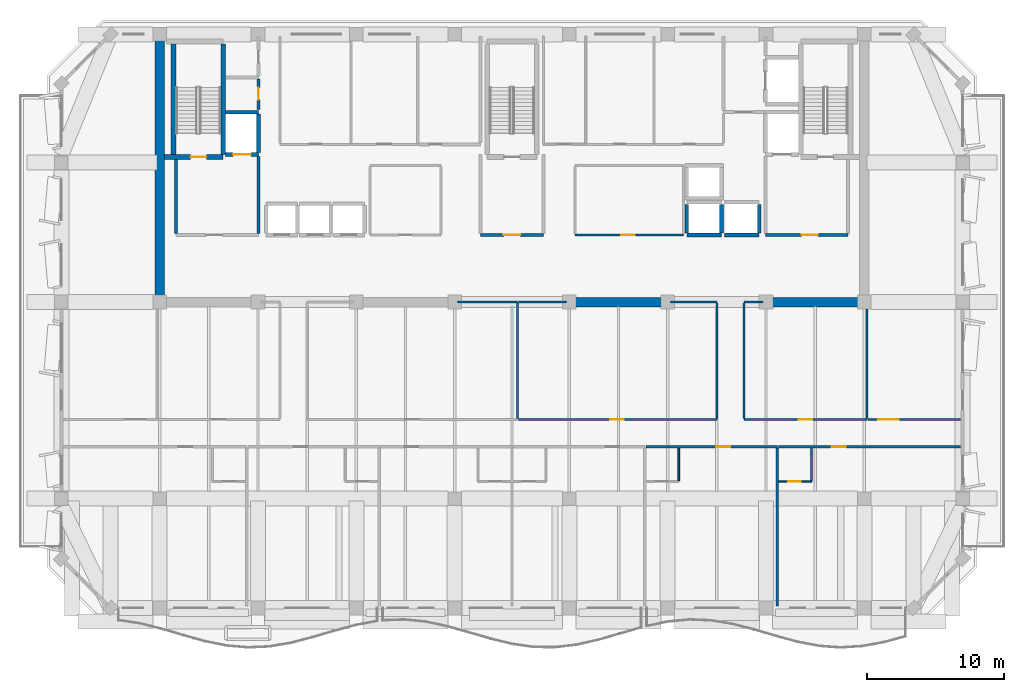
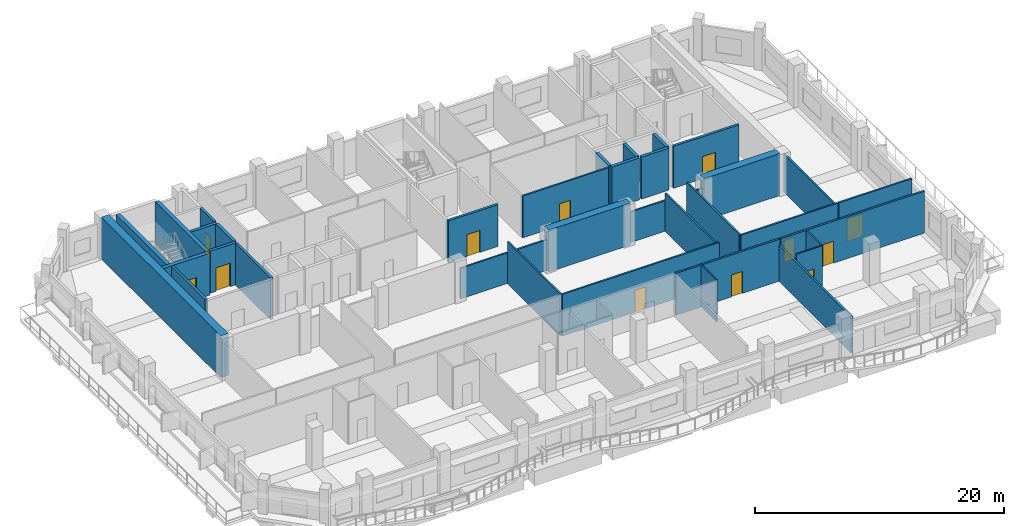
# One storey, part 5 of 12: 37 walls, 12 doors, 12 openings.
"""IFC4 building model written with IfcOpenShell, lengths in metres."""

from ifc_helpers import new_model, si_unit, direction, frame, frame_2d, origin, place, context, subcontext, project, spatial, rectangle, extrude, material, layer, layer_set, type_object, element, fill, save


model = new_model("IFC4")

# Units and contexts
model_context = context("Model", 3, precision=1e-05, world=origin(), true_north=direction((0.0, 1.0)))
body_context = subcontext(model_context, "Body", "Model", "MODEL_VIEW")
ifc_project = project(units=[si_unit("LENGTHUNIT", "METRE"), si_unit("AREAUNIT", "SQUARE_METRE"), si_unit("VOLUMEUNIT", "CUBIC_METRE"), si_unit("PLANEANGLEUNIT", "RADIAN"), si_unit("MASSUNIT", "GRAM", prefix="KILO")], contexts=[model_context])

# Site, building, storey
site_placement = place(None, origin())
site = spatial("IfcSite", under=ifc_project, at=site_placement, CompositionType="ELEMENT")
building_placement = place(site_placement, origin())
building = spatial("IfcBuilding", under=site, at=building_placement, Name="Kaelvorn Grand Hotel", CompositionType="ELEMENT")
storey_placement = place(building_placement, frame((0.0, 0.0, 285.89990234375)))
storey = spatial("IfcBuildingStorey", under=building, at=storey_placement, Name="L70", CompositionType="ELEMENT", Elevation=285.89990234375)

# Walls
ifc_material_1 = material(Name="Concrete C50/60", Category="concrete")
ifc_layer_1 = layer(ifc_material_1, 0.699951171875)
ifc_layer_set_1 = layer_set([ifc_layer_1], Name="Concrete C50/60")
wall_type_1 = type_object("IfcWallType", Name="WL-CORE-700-C50", PredefinedType="SHEAR", material=ifc_layer_set_1)
wall_1_placement = place(storey_placement, frame((16.199951171875, 29.39990234375, 0.0), z_axis=(0.0, 0.0, 1.0), x_axis=(0.0, 1.0, 0.0)))
element("IfcWall", 1, at=wall_1_placement, inside=storey, type_object=wall_type_1, Name="L70 Rear-Core West Shear Wall", PredefinedType="SHEAR", context=body_context, shape_type="SweptSolid", body=[
    extrude(rectangle(XDim=19.2001953125, YDim=0.699951171875, at=frame_2d((9.60009765625, 0.0))), origin(), (0.0, 0.0, 1.0), 4.10009765625),
])
wall_2_placement = place(storey_placement, frame((46.0, 29.39990234375, 0.0), z_axis=(0.0, 0.0, 1.0), x_axis=(1.0, 0.0, 0.0)))
element("IfcWall", 2, at=wall_2_placement, inside=storey, type_object=wall_type_1, Name="L70 Rear-Core Coupled Shear Pier S3", PredefinedType="SHEAR", context=body_context, shape_type="SweptSolid", body=[
    extrude(rectangle(XDim=7.60009765625, YDim=0.699951171875, at=frame_2d((3.800048828125, 0.0))), origin(), (0.0, 0.0, 1.0), 4.10009765625),
])
wall_3_placement = place(storey_placement, frame((60.39990234375, 29.39990234375, 0.0), z_axis=(0.0, 0.0, 1.0), x_axis=(1.0, 0.0, 0.0)))
element("IfcWall", 3, at=wall_3_placement, inside=storey, type_object=wall_type_1, Name="L70 Rear-Core Coupled Shear Pier S4", PredefinedType="SHEAR", context=body_context, shape_type="SweptSolid", body=[
    extrude(rectangle(XDim=7.045166015625, YDim=0.699951171875, at=frame_2d((3.5224609375, 0.0))), origin(), (0.0, 0.0, 1.0), 4.10009765625),
])
ifc_material_2 = material(Name="Moisture-Resistant Tile & Stud Board")
ifc_layer_2 = layer(ifc_material_2, 0.125)
ifc_layer_set_2 = layer_set([ifc_layer_2], Name="Moisture-Resistant Tile & Stud Board")
wall_type_2 = type_object("IfcWallType", Name="WL-PART-125-WET", PredefinedType="PARTITIONING", material=ifc_layer_set_2)
wall_4_placement = place(storey_placement, frame((54.216796875, 16.3173828125, 0.0), z_axis=(0.0, 0.0, 1.0), x_axis=(0.0, 1.0, 0.0)))
element("IfcWall", 4, at=wall_4_placement, inside=storey, type_object=wall_type_2, Name="L70 En-suite Bathroom L70-05 E Partition", PredefinedType="PARTITIONING", context=body_context, shape_type="SweptSolid", body=[
    extrude(rectangle(XDim=2.3876953125, YDim=0.125, at=frame_2d((1.19384765625, 0.0))), origin(), (0.0, 0.0, 1.0), 4.10009765625),
])

# Wall, opening, door
wall_5_placement = place(storey_placement, frame((61.5283203125, 16.25, 0.0), z_axis=(0.0, 0.0, 1.0), x_axis=(1.0, 0.0, 0.0)))
wall_5 = element("IfcWall", 5, at=wall_5_placement, inside=storey, type_object=wall_type_2, Name="L70 En-suite Bathroom L70-06 S Partition", PredefinedType="PARTITIONING", context=body_context, shape_type="SweptSolid", body=[
    extrude(rectangle(XDim=2.405029296875, YDim=0.125, at=frame_2d((1.20263671875, 0.0))), origin(), (0.0, 0.0, 1.0), 4.10009765625),
])
opening_1_placement = place(wall_5_placement, frame((0.705078125, 0.0, 0.0)))
opening_1 = element("IfcOpeningElement", 6, at=opening_1_placement, cuts=wall_5, Name="Opening DI4", PredefinedType="OPENING", context=body_context, shape_type="SweptSolid", body=[
    extrude(rectangle(XDim=0.89990234375, YDim=2.10009765625, at=frame_2d((0.449951171875, 1.050048828125))), frame((0.0, 0.072509765625, 0.0), z_axis=(0.0, -1.0, 0.0), x_axis=(1.0, 0.0, 0.0)), (0.0, 0.0, 1.0), 0.14501953125),
])
ifc_material_3 = material(Name="Timber Veneer Leaf", Category="wood")
door_type_1 = type_object("IfcDoorType", Name="DR-INT-BATH-900x2100", OperationType="NOTDEFINED", PredefinedType="DOOR", material=ifc_material_3)
door_1_placement = place(opening_1_placement, origin())
door_1 = element("IfcDoor", 7, at=door_1_placement, inside=storey, type_object=door_type_1, Name="L70 En-suite Bathroom L70-06 Door", OperationType="SINGLE_SWING_RIGHT", OverallHeight=2.10009765625, OverallWidth=0.89990234375, PredefinedType="DOOR", context=body_context, shape_type="SweptSolid", body=[
    extrude(rectangle(XDim=0.89990234375, YDim=2.10009765625, at=frame_2d((0.449951171875, 1.050048828125))), frame((0.0, 0.02490234375, 0.0), z_axis=(0.0, -1.0, 0.0), x_axis=(1.0, 0.0, 0.0)), (0.0, 0.0, 1.0), 0.050048828125),
])
fill(opening_1, door_1)

# Wall
wall_6_placement = place(storey_placement, frame((63.933349609375, 16.3173828125, 0.0), z_axis=(0.0, 0.0, 1.0), x_axis=(0.0, 1.0, 0.0)))
element("IfcWall", 8, at=wall_6_placement, inside=storey, type_object=wall_type_2, Name="L70 En-suite Bathroom L70-06 E Partition", PredefinedType="PARTITIONING", context=body_context, shape_type="SweptSolid", body=[
    extrude(rectangle(XDim=2.3876953125, YDim=0.125, at=frame_2d((1.19384765625, 0.0))), origin(), (0.0, 0.0, 1.0), 4.10009765625),
])

# Wall, opening, door
ifc_material_4 = material(Name="Acoustic Gypsum & Stud Partition")
ifc_layer_3 = layer(ifc_material_4, 0.14990234375)
ifc_layer_set_3 = layer_set([ifc_layer_3], Name="Acoustic Gypsum & Stud Partition")
wall_type_3 = type_object("IfcWallType", Name="WL-PART-150-EI60", PredefinedType="PARTITIONING", material=ifc_layer_set_3)
wall_7_placement = place(storey_placement, frame((46.60009765625, 34.300048828125, 0.0), z_axis=(0.0, 0.0, 1.0), x_axis=(1.0, 0.0, 0.0)))
wall_7 = element("IfcWall", 9, at=wall_7_placement, inside=storey, type_object=wall_type_3, Name="L70 Sky Concierge & Butler Pantry Lounge S Partition", PredefinedType="PARTITIONING", context=body_context, shape_type="SweptSolid", body=[
    extrude(rectangle(XDim=7.949951171875, YDim=0.14990234375, at=frame_2d((3.97509765625, 0.0))), origin(), (0.0, 0.0, 1.0), 4.10009765625),
])
opening_2_placement = place(wall_7_placement, frame((3.39990234375, 0.0, 0.0)))
opening_2 = element("IfcOpeningElement", 10, at=opening_2_placement, cuts=wall_7, Name="Opening DI3", PredefinedType="OPENING", context=body_context, shape_type="SweptSolid", body=[
    extrude(rectangle(XDim=1.0, YDim=2.14990234375, at=frame_2d((0.5, 1.074951171875))), frame((0.0, 0.0849609375, 0.0), z_axis=(0.0, -1.0, 0.0), x_axis=(1.0, 0.0, 0.0)), (0.0, 0.0, 1.0), 0.169921875),
])
ifc_material_5 = material(Name="Timber Veneer Fire Leaf", Category="wood")
door_type_2 = type_object("IfcDoorType", Name="DR-INT-GUEST-1000x2150", OperationType="NOTDEFINED", PredefinedType="DOOR", material=ifc_material_5)
door_2_placement = place(opening_2_placement, origin())
door_2 = element("IfcDoor", 11, at=door_2_placement, inside=storey, type_object=door_type_2, Name="L70 Sky Concierge & Butler Pantry Lounge Door", OperationType="SINGLE_SWING_RIGHT", OverallHeight=2.14990234375, OverallWidth=1.0, PredefinedType="DOOR", context=body_context, shape_type="SweptSolid", body=[
    extrude(rectangle(XDim=1.0, YDim=2.14990234375, at=frame_2d((0.5, 1.074951171875))), frame((0.0, 0.02490234375, 0.0), z_axis=(0.0, -1.0, 0.0), x_axis=(1.0, 0.0, 0.0)), (0.0, 0.0, 1.0), 0.050048828125),
])
fill(opening_2, door_2)

# Walls
wall_8_placement = place(storey_placement, frame((38.010009765625, 29.39990234375, 0.0), z_axis=(0.0, 0.0, 1.0), x_axis=(1.0, 0.0, 0.0)))
element("IfcWall", 12, at=wall_8_placement, inside=storey, type_object=wall_type_3, Name="L70 Sommelier Wine Bar N Partition (2)", PredefinedType="PARTITIONING", context=body_context, shape_type="SweptSolid", body=[
    extrude(rectangle(XDim=4.389892578125, YDim=0.14990234375, at=frame_2d((2.19482421875, 0.0))), origin(), (0.0, 0.0, 1.0), 3.0),
])
wall_9_placement = place(storey_placement, frame((42.39990234375, 20.8798828125, 0.0), z_axis=(0.0, 0.0, 1.0), x_axis=(0.0, 1.0, 0.0)))
element("IfcWall", 13, at=wall_9_placement, inside=storey, type_object=wall_type_3, Name="L70 Sommelier Wine Bar E Partition", PredefinedType="PARTITIONING", context=body_context, shape_type="SweptSolid", body=[
    extrude(rectangle(XDim=8.440185546875, YDim=0.14990234375, at=frame_2d((4.22021484375, 0.0))), origin(), (0.0, 0.0, 1.0), 4.10009765625),
])

# Wall, opening, door
wall_10_placement = place(storey_placement, frame((42.47998046875, 20.800048828125, 0.0), z_axis=(0.0, 0.0, 1.0), x_axis=(1.0, 0.0, 0.0)))
wall_10 = element("IfcWall", 14, at=wall_10_placement, inside=storey, type_object=wall_type_3, Name="L70 Business Meeting Room S Partition", PredefinedType="PARTITIONING", context=body_context, shape_type="SweptSolid", body=[
    extrude(rectangle(XDim=14.52001953125, YDim=0.14990234375, at=frame_2d((7.260009765625, 0.0))), origin(), (0.0, 0.0, 1.0), 4.10009765625),
])
opening_3_placement = place(wall_10_placement, frame((6.719970703125, 0.0, 0.0)))
opening_3 = element("IfcOpeningElement", 15, at=opening_3_placement, cuts=wall_10, Name="Opening DI3", PredefinedType="OPENING", context=body_context, shape_type="SweptSolid", body=[
    extrude(rectangle(XDim=1.0, YDim=2.14990234375, at=frame_2d((0.5, 1.074951171875))), frame((0.0, 0.0849609375, 0.0), z_axis=(0.0, -1.0, 0.0), x_axis=(1.0, 0.0, 0.0)), (0.0, 0.0, 1.0), 0.169921875),
])
door_3_placement = place(opening_3_placement, origin())
door_3 = element("IfcDoor", 16, at=door_3_placement, inside=storey, type_object=door_type_2, Name="L70 Business Meeting Room Door", OperationType="SINGLE_SWING_LEFT", OverallHeight=2.14990234375, OverallWidth=1.0, PredefinedType="DOOR", context=body_context, shape_type="SweptSolid", body=[
    extrude(rectangle(XDim=1.0, YDim=2.14990234375, at=frame_2d((0.5, 1.074951171875))), frame((0.0, 0.02490234375, 0.0), z_axis=(0.0, -1.0, 0.0), x_axis=(1.0, 0.0, 0.0)), (0.0, 0.0, 1.0), 0.050048828125),
])
fill(opening_3, door_3)

# Walls
wall_11_placement = place(storey_placement, frame((42.47998046875, 29.39990234375, 0.0), z_axis=(0.0, 0.0, 1.0), x_axis=(1.0, 0.0, 0.0)))
element("IfcWall", 17, at=wall_11_placement, inside=storey, type_object=wall_type_3, Name="L70 Business Meeting Room N Partition (1)", PredefinedType="PARTITIONING", context=body_context, shape_type="SweptSolid", body=[
    extrude(rectangle(XDim=3.510009765625, YDim=0.14990234375, at=frame_2d((1.7548828125, 0.0))), origin(), (0.0, 0.0, 1.0), 3.0),
])
wall_12_placement = place(storey_placement, frame((53.610107421875, 29.39990234375, 0.0), z_axis=(0.0, 0.0, 1.0), x_axis=(1.0, 0.0, 0.0)))
element("IfcWall", 18, at=wall_12_placement, inside=storey, type_object=wall_type_3, Name="L70 Business Meeting Room N Partition (2)", PredefinedType="PARTITIONING", context=body_context, shape_type="SweptSolid", body=[
    extrude(rectangle(XDim=3.389892578125, YDim=0.14990234375, at=frame_2d((1.69482421875, 0.0))), origin(), (0.0, 0.0, 1.0), 3.0),
])
wall_13_placement = place(storey_placement, frame((57.0, 20.8798828125, 0.0), z_axis=(0.0, 0.0, 1.0), x_axis=(0.0, 1.0, 0.0)))
element("IfcWall", 19, at=wall_13_placement, inside=storey, type_object=wall_type_3, Name="L70 Business Meeting Room E Partition", PredefinedType="PARTITIONING", context=body_context, shape_type="SweptSolid", body=[
    extrude(rectangle(XDim=8.440185546875, YDim=0.14990234375, at=frame_2d((4.22021484375, 0.0))), origin(), (0.0, 0.0, 1.0), 3.739990234375),
])

# Wall, opening, door
wall_14_placement = place(storey_placement, frame((59.0, 20.800048828125, 0.0), z_axis=(0.0, 0.0, 1.0), x_axis=(1.0, 0.0, 0.0)))
wall_14 = element("IfcWall", 20, at=wall_14_placement, inside=storey, type_object=wall_type_3, Name="L70 Press Briefing Office S Partition", PredefinedType="PARTITIONING", context=body_context, shape_type="SweptSolid", body=[
    extrude(rectangle(XDim=9.0, YDim=0.14990234375, at=frame_2d((4.5, 0.0))), origin(), (0.0, 0.0, 1.0), 4.10009765625),
])
opening_4_placement = place(wall_14_placement, frame((4.0, 0.0, 0.0)))
opening_4 = element("IfcOpeningElement", 21, at=opening_4_placement, cuts=wall_14, Name="Opening DI3", PredefinedType="OPENING", context=body_context, shape_type="SweptSolid", body=[
    extrude(rectangle(XDim=1.0, YDim=2.14990234375, at=frame_2d((0.5, 1.074951171875))), frame((0.0, 0.0849609375, 0.0), z_axis=(0.0, -1.0, 0.0), x_axis=(1.0, 0.0, 0.0)), (0.0, 0.0, 1.0), 0.169921875),
])
door_4_placement = place(opening_4_placement, origin())
door_4 = element("IfcDoor", 22, at=door_4_placement, inside=storey, type_object=door_type_2, Name="L70 Press Briefing Office Door", OperationType="SINGLE_SWING_RIGHT", OverallHeight=2.14990234375, OverallWidth=1.0, PredefinedType="DOOR", context=body_context, shape_type="SweptSolid", body=[
    extrude(rectangle(XDim=1.0, YDim=2.14990234375, at=frame_2d((0.5, 1.074951171875))), frame((0.0, 0.02490234375, 0.0), z_axis=(0.0, -1.0, 0.0), x_axis=(1.0, 0.0, 0.0)), (0.0, 0.0, 1.0), 0.050048828125),
])
fill(opening_4, door_4)

# Walls
wall_15_placement = place(storey_placement, frame((59.0, 29.39990234375, 0.0), z_axis=(0.0, 0.0, 1.0), x_axis=(1.0, 0.0, 0.0)))
element("IfcWall", 23, at=wall_15_placement, inside=storey, type_object=wall_type_3, Name="L70 Press Briefing Office N Partition", PredefinedType="PARTITIONING", context=body_context, shape_type="SweptSolid", body=[
    extrude(rectangle(XDim=1.389892578125, YDim=0.14990234375, at=frame_2d((0.69482421875, 0.0))), origin(), (0.0, 0.0, 1.0), 3.0),
])
wall_16_placement = place(storey_placement, frame((59.0, 20.8798828125, 0.0), z_axis=(0.0, 0.0, 1.0), x_axis=(0.0, 1.0, 0.0)))
element("IfcWall", 24, at=wall_16_placement, inside=storey, type_object=wall_type_3, Name="L70 Press Briefing Office W Partition", PredefinedType="PARTITIONING", context=body_context, shape_type="SweptSolid", body=[
    extrude(rectangle(XDim=8.440185546875, YDim=0.14990234375, at=frame_2d((4.22021484375, 0.0))), origin(), (0.0, 0.0, 1.0), 4.10009765625),
])
wall_17_placement = place(storey_placement, frame((68.0, 20.8798828125, 0.0), z_axis=(0.0, 0.0, 1.0), x_axis=(0.0, 1.0, 0.0)))
element("IfcWall", 25, at=wall_17_placement, inside=storey, type_object=wall_type_3, Name="L70 Press Briefing Office E Partition", PredefinedType="PARTITIONING", context=body_context, shape_type="SweptSolid", body=[
    extrude(rectangle(XDim=8.510009765625, YDim=0.14990234375, at=frame_2d((4.2548828125, 0.0))), origin(), (0.0, 0.0, 1.0), 3.739990234375),
])

# Wall, opening, door
wall_18_placement = place(storey_placement, frame((68.080078125, 20.800048828125, 0.0), z_axis=(0.0, 0.0, 1.0), x_axis=(1.0, 0.0, 0.0)))
wall_18 = element("IfcWall", 26, at=wall_18_placement, inside=storey, type_object=wall_type_3, Name="L70 East Sky Private Cinema Lounge S Partition", PredefinedType="PARTITIONING", context=body_context, shape_type="SweptSolid", body=[
    extrude(rectangle(XDim=6.77001953125, YDim=0.14990234375, at=frame_2d((3.385009765625, 0.0))), origin(), (0.0, 0.0, 1.0), 4.10009765625),
])
opening_5_placement = place(wall_18_placement, frame((0.75, 0.0, 0.0)))
opening_5 = element("IfcOpeningElement", 27, at=opening_5_placement, cuts=wall_18, Name="Opening DI5", PredefinedType="OPENING", context=body_context, shape_type="SweptSolid", body=[
    extrude(rectangle(XDim=1.5, YDim=2.25, at=frame_2d((0.75, 1.125))), frame((0.0, 0.0849609375, 0.0), z_axis=(0.0, -1.0, 0.0), x_axis=(1.0, 0.0, 0.0)), (0.0, 0.0, 1.0), 0.169921875),
])
door_type_3 = type_object("IfcDoorType", Name="DR-INT-SALON-1500x2250", OperationType="DOUBLE_DOOR_SINGLE_SWING", PredefinedType="DOOR", material=ifc_material_5)
door_5_placement = place(opening_5_placement, origin())
door_5 = element("IfcDoor", 28, at=door_5_placement, inside=storey, type_object=door_type_3, Name="L70 East Sky Private Cinema Lounge Door", OperationType="DOUBLE_DOOR_SINGLE_SWING", OverallHeight=2.25, OverallWidth=1.5, PredefinedType="DOOR", context=body_context, shape_type="SweptSolid", body=[
    extrude(rectangle(XDim=1.5, YDim=2.25, at=frame_2d((0.75, 1.125))), frame((0.0, 0.02490234375, 0.0), z_axis=(0.0, -1.0, 0.0), x_axis=(1.0, 0.0, 0.0)), (0.0, 0.0, 1.0), 0.050048828125),
])
fill(opening_5, door_5)

ifc_layer_4 = layer(ifc_material_4, 0.179931640625)
ifc_layer_set_4 = layer_set([ifc_layer_4], Name="Acoustic Gypsum & Stud Partition")
wall_type_4 = type_object("IfcWallType", Name="WL-PART-180-EI60", PredefinedType="PARTITIONING", material=ifc_layer_set_4)
wall_19_placement = place(storey_placement, frame((51.811767578125, 18.800048828125, 0.0), z_axis=(0.0, 0.0, 1.0), x_axis=(1.0, 0.0, 0.0)))
wall_19 = element("IfcWall", 29, at=wall_19_placement, inside=storey, type_object=wall_type_4, Name="L70 Presidential Sky Suite L70-05 N Partition", PredefinedType="PARTITIONING", context=body_context, shape_type="SweptSolid", body=[
    extrude(rectangle(XDim=9.62158203125, YDim=0.179931640625, at=frame_2d((4.810791015625, 0.0))), origin(), (0.0, 0.0, 1.0), 4.10009765625),
])
opening_6_placement = place(wall_19_placement, frame((5.15673828125, 0.0, 0.0)))
opening_6 = element("IfcOpeningElement", 30, at=opening_6_placement, cuts=wall_19, Name="Opening DI3", PredefinedType="OPENING", context=body_context, shape_type="SweptSolid", body=[
    extrude(rectangle(XDim=1.0, YDim=2.14990234375, at=frame_2d((0.5, 1.074951171875))), frame((0.0, 0.10009765625, 0.0), z_axis=(0.0, -1.0, 0.0), x_axis=(1.0, 0.0, 0.0)), (0.0, 0.0, 1.0), 0.199951171875),
])
door_6_placement = place(opening_6_placement, origin())
door_6 = element("IfcDoor", 31, at=door_6_placement, inside=storey, type_object=door_type_2, Name="L70 Presidential Sky Suite L70-05 Door", OperationType="SINGLE_SWING_LEFT", OverallHeight=2.14990234375, OverallWidth=1.0, PredefinedType="DOOR", context=body_context, shape_type="SweptSolid", body=[
    extrude(rectangle(XDim=1.0, YDim=2.14990234375, at=frame_2d((0.5, 1.074951171875))), frame((0.0, 0.02490234375, 0.0), z_axis=(0.0, -1.0, 0.0), x_axis=(1.0, 0.0, 0.0)), (0.0, 0.0, 1.0), 0.050048828125),
])
fill(opening_6, door_6)

# Wall
wall_20_placement = place(storey_placement, frame((61.433349609375, 7.14990234375, 0.0), z_axis=(0.0, 0.0, 1.0), x_axis=(0.0, 1.0, 0.0)))
element("IfcWall", 32, at=wall_20_placement, inside=storey, type_object=wall_type_4, Name="L70 Presidential Sky Suite L70-05 E Partition", PredefinedType="PARTITIONING", context=body_context, shape_type="SweptSolid", body=[
    extrude(rectangle(XDim=11.55517578125, YDim=0.179931640625, at=frame_2d((5.777587890625, 0.0))), origin(), (0.0, 0.0, 1.0), 3.530029296875),
])

# Wall, opening, door
wall_21_placement = place(storey_placement, frame((61.5283203125, 18.800048828125, 0.0), z_axis=(0.0, 0.0, 1.0), x_axis=(1.0, 0.0, 0.0)))
wall_21 = element("IfcWall", 33, at=wall_21_placement, inside=storey, type_object=wall_type_4, Name="L70 Presidential Sky Suite L70-06 N Partition", PredefinedType="PARTITIONING", context=body_context, shape_type="SweptSolid", body=[
    extrude(rectangle(XDim=13.32177734375, YDim=0.179931640625, at=frame_2d((6.660888671875, 0.0))), origin(), (0.0, 0.0, 1.0), 4.10009765625),
])
opening_7_placement = place(wall_21_placement, frame((3.898193359375, 0.0, 0.0)))
opening_7 = element("IfcOpeningElement", 34, at=opening_7_placement, cuts=wall_21, Name="Opening DI3", PredefinedType="OPENING", context=body_context, shape_type="SweptSolid", body=[
    extrude(rectangle(XDim=1.0, YDim=2.14990234375, at=frame_2d((0.5, 1.074951171875))), frame((0.0, 0.10009765625, 0.0), z_axis=(0.0, -1.0, 0.0), x_axis=(1.0, 0.0, 0.0)), (0.0, 0.0, 1.0), 0.199951171875),
])
door_7_placement = place(opening_7_placement, origin())
door_7 = element("IfcDoor", 35, at=door_7_placement, inside=storey, type_object=door_type_2, Name="L70 Presidential Sky Suite L70-06 Door", OperationType="SINGLE_SWING_LEFT", OverallHeight=2.14990234375, OverallWidth=1.0, PredefinedType="DOOR", context=body_context, shape_type="SweptSolid", body=[
    extrude(rectangle(XDim=1.0, YDim=2.14990234375, at=frame_2d((0.5, 1.074951171875))), frame((0.0, 0.02490234375, 0.0), z_axis=(0.0, -1.0, 0.0), x_axis=(1.0, 0.0, 0.0)), (0.0, 0.0, 1.0), 0.050048828125),
])
fill(opening_7, door_7)

# Walls
ifc_material_6 = material(Name="Concrete C40/50", Category="concrete")
ifc_layer_5 = layer(ifc_material_6, 0.219970703125)
ifc_layer_set_5 = layer_set([ifc_layer_5], Name="Concrete C40/50")
wall_type_5 = type_object("IfcWallType", Name="WL-PART-220-EI120", PredefinedType="PARTITIONING", material=ifc_layer_set_5)
wall_22_placement = place(storey_placement, frame((17.39990234375, 34.4150390625, 0.0), z_axis=(0.0, 0.0, 1.0), x_axis=(0.0, 1.0, 0.0)))
element("IfcWall", 36, at=wall_22_placement, inside=storey, type_object=wall_type_5, Name="L70 Firefighting Lift Lobby 1 W Partition", PredefinedType="PARTITIONING", context=body_context, shape_type="SweptSolid", body=[
    extrude(rectangle(XDim=5.429931640625, YDim=0.219970703125, at=frame_2d((2.71484375, 0.0))), origin(), (0.0, 0.0, 1.0), 4.10009765625),
])
wall_23_placement = place(storey_placement, frame((23.449951171875, 34.4150390625, 0.0), z_axis=(0.0, 0.0, 1.0), x_axis=(0.0, 1.0, 0.0)))
element("IfcWall", 37, at=wall_23_placement, inside=storey, type_object=wall_type_5, Name="L70 Firefighting Lift Lobby 1 E Partition", PredefinedType="PARTITIONING", context=body_context, shape_type="SweptSolid", body=[
    extrude(rectangle(XDim=5.639892578125, YDim=0.219970703125, at=frame_2d((2.81982421875, 0.0))), origin(), (0.0, 0.0, 1.0), 4.10009765625),
])

# Wall, opening, door
wall_24_placement = place(storey_placement, frame((60.550048828125, 34.300048828125, 0.0), z_axis=(0.0, 0.0, 1.0), x_axis=(1.0, 0.0, 0.0)))
wall_24 = element("IfcWall", 38, at=wall_24_placement, inside=storey, type_object=wall_type_5, Name="L70 Firefighting Lift Lobby 2 S Partition", PredefinedType="PARTITIONING", context=body_context, shape_type="SweptSolid", body=[
    extrude(rectangle(XDim=6.050048828125, YDim=0.219970703125, at=frame_2d((3.02490234375, 0.0))), origin(), (0.0, 0.0, 1.0), 4.10009765625),
])
opening_8_placement = place(wall_24_placement, frame((2.64990234375, 0.0, 0.0)))
opening_8 = element("IfcOpeningElement", 39, at=opening_8_placement, cuts=wall_24, Name="Opening DI2", PredefinedType="OPENING", context=body_context, shape_type="SweptSolid", body=[
    extrude(rectangle(XDim=1.199951171875, YDim=2.14990234375, at=frame_2d((0.60009765625, 1.074951171875))), frame((0.0, 0.1201171875, 0.0), z_axis=(0.0, -1.0, 0.0), x_axis=(1.0, 0.0, 0.0)), (0.0, 0.0, 1.0), 0.239990234375),
])
door_type_4 = type_object("IfcDoorType", Name="DR-INT-FFLOB-1200x2150", OperationType="NOTDEFINED", PredefinedType="DOOR", material=ifc_material_5)
door_8_placement = place(opening_8_placement, origin())
door_8 = element("IfcDoor", 40, at=door_8_placement, inside=storey, type_object=door_type_4, Name="L70 Firefighting Lift Lobby 2 Door", OperationType="SINGLE_SWING_RIGHT", OverallHeight=2.14990234375, OverallWidth=1.199951171875, PredefinedType="DOOR", context=body_context, shape_type="SweptSolid", body=[
    extrude(rectangle(XDim=1.199951171875, YDim=2.14990234375, at=frame_2d((0.60009765625, 1.074951171875))), frame((0.0, 0.02490234375, 0.0), z_axis=(0.0, -1.0, 0.0), x_axis=(1.0, 0.0, 0.0)), (0.0, 0.0, 1.0), 0.050048828125),
])
fill(opening_8, door_8)

wall_25_placement = place(storey_placement, frame((39.699951171875, 34.300048828125, 0.0), z_axis=(0.0, 0.0, 1.0), x_axis=(1.0, 0.0, 0.0)))
wall_25 = element("IfcWall", 41, at=wall_25_placement, inside=storey, type_object=wall_type_5, Name="L70 Central Stair Escape Vestibule S Partition", PredefinedType="PARTITIONING", context=body_context, shape_type="SweptSolid", body=[
    extrude(rectangle(XDim=4.60009765625, YDim=0.219970703125, at=frame_2d((2.300048828125, 0.0))), origin(), (0.0, 0.0, 1.0), 4.10009765625),
])
opening_9_placement = place(wall_25_placement, frame((1.699951171875, 0.0, 0.0)))
opening_9 = element("IfcOpeningElement", 42, at=opening_9_placement, cuts=wall_25, Name="Opening DI2", PredefinedType="OPENING", context=body_context, shape_type="SweptSolid", body=[
    extrude(rectangle(XDim=1.199951171875, YDim=2.14990234375, at=frame_2d((0.60009765625, 1.074951171875))), frame((0.0, 0.1201171875, 0.0), z_axis=(0.0, -1.0, 0.0), x_axis=(1.0, 0.0, 0.0)), (0.0, 0.0, 1.0), 0.239990234375),
])
door_9_placement = place(opening_9_placement, origin())
door_9 = element("IfcDoor", 43, at=door_9_placement, inside=storey, type_object=door_type_4, Name="L70 Central Stair Escape Vestibule Door", OperationType="SINGLE_SWING_LEFT", OverallHeight=2.14990234375, OverallWidth=1.199951171875, PredefinedType="DOOR", context=body_context, shape_type="SweptSolid", body=[
    extrude(rectangle(XDim=1.199951171875, YDim=2.14990234375, at=frame_2d((0.60009765625, 1.074951171875))), frame((0.0, 0.02490234375, 0.0), z_axis=(0.0, -1.0, 0.0), x_axis=(1.0, 0.0, 0.0)), (0.0, 0.0, 1.0), 0.050048828125),
])
fill(opening_9, door_9)

wall_26_placement = place(storey_placement, frame((23.449951171875, 43.5, 0.0), z_axis=(0.0, 0.0, 1.0), x_axis=(0.0, 1.0, 0.0)))
wall_26 = element("IfcWall", 44, at=wall_26_placement, inside=storey, type_object=wall_type_5, Name="L70 Wet Fire & Plumbing Riser Shaft E Partition", PredefinedType="PARTITIONING", context=body_context, shape_type="SweptSolid", body=[
    extrude(rectangle(XDim=2.235107421875, YDim=0.219970703125, at=frame_2d((1.11767578125, 0.0))), origin(), (0.0, 0.0, 1.0), 4.10009765625),
])
opening_10_placement = place(wall_26_placement, frame((0.72509765625, 0.0, 0.0)))
opening_10 = element("IfcOpeningElement", 45, at=opening_10_placement, cuts=wall_26, Name="Opening DI7", PredefinedType="OPENING", context=body_context, shape_type="SweptSolid", body=[
    extrude(rectangle(XDim=0.85009765625, YDim=2.10009765625, at=frame_2d((0.425048828125, 1.050048828125))), frame((0.0, 0.1201171875, 0.0), z_axis=(0.0, -1.0, 0.0), x_axis=(1.0, 0.0, 0.0)), (0.0, 0.0, 1.0), 0.239990234375),
])
ifc_material_7 = material(Name="Powder-Coated Steel Leaf", Category="steel")
door_type_5 = type_object("IfcDoorType", Name="DR-INT-RISER-850x2100", OperationType="NOTDEFINED", PredefinedType="DOOR", material=ifc_material_7)
door_10_placement = place(opening_10_placement, origin())
door_10 = element("IfcDoor", 46, at=door_10_placement, inside=storey, type_object=door_type_5, Name="L70 Wet Fire & Plumbing Riser Shaft Door", OperationType="SINGLE_SWING_LEFT", OverallHeight=2.10009765625, OverallWidth=0.85009765625, PredefinedType="DOOR", context=body_context, shape_type="SweptSolid", body=[
    extrude(rectangle(XDim=0.85009765625, YDim=2.10009765625, at=frame_2d((0.425048828125, 1.050048828125))), frame((0.0, 0.02490234375, 0.0), z_axis=(0.0, -1.0, 0.0), x_axis=(1.0, 0.0, 0.0)), (0.0, 0.0, 1.0), 0.050048828125),
])
fill(opening_10, door_10)

# Walls
ifc_layer_6 = layer(ifc_material_1, 0.280029296875)
ifc_layer_set_6 = layer_set([ifc_layer_6], Name="Concrete C50/60")
wall_type_6 = type_object("IfcWallType", Name="WL-SHAFT-280-C50", PredefinedType="SHEAR", material=ifc_layer_set_6)
wall_27_placement = place(storey_placement, frame((54.800048828125, 34.300048828125, 0.0), z_axis=(0.0, 0.0, 1.0), x_axis=(1.0, 0.0, 0.0)))
element("IfcWall", 47, at=wall_27_placement, inside=storey, type_object=wall_type_6, Name="L70 Lift OL-1 Shaft South Wall", PredefinedType="SHEAR", context=body_context, shape_type="SweptSolid", body=[
    extrude(rectangle(XDim=2.550048828125, YDim=0.280029296875, at=frame_2d((1.27490234375, 0.0))), origin(), (0.0, 0.0, 1.0), 4.10009765625),
])
for number, where, z_axis, x_axis, name in (
    (48, (54.800048828125, 34.445068359375, 0.0), (0.0, 0.0, 1.0), (0.0, 1.0, 0.0), "L70 Lift OL-1 Shaft West Wall"),
    (49, (57.35009765625, 34.445068359375, 0.0), (0.0, 0.0, 1.0), (0.0, 1.0, 0.0), "L70 Lift OL-1 Shaft East Wall"),
):
    element("IfcWall", number, at=place(storey_placement, frame(where, z_axis=z_axis, x_axis=x_axis)), inside=storey, type_object=wall_type_6, Name=name, PredefinedType="SHEAR", context=body_context, shape_type="SweptSolid", body=[
        extrude(rectangle(XDim=2.10986328125, YDim=0.280029296875, at=frame_2d((1.054931640625, 0.0))), origin(), (0.0, 0.0, 1.0), 4.10009765625),
    ])
wall_28_placement = place(storey_placement, frame((57.550048828125, 34.300048828125, 0.0), z_axis=(0.0, 0.0, 1.0), x_axis=(1.0, 0.0, 0.0)))
element("IfcWall", 50, at=wall_28_placement, inside=storey, type_object=wall_type_6, Name="L70 Lift OL-2 Shaft South Wall", PredefinedType="SHEAR", context=body_context, shape_type="SweptSolid", body=[
    extrude(rectangle(XDim=2.550048828125, YDim=0.280029296875, at=frame_2d((1.27490234375, 0.0))), origin(), (0.0, 0.0, 1.0), 4.10009765625),
])
wall_29_placement = place(storey_placement, frame((60.10009765625, 34.445068359375, 0.0), z_axis=(0.0, 0.0, 1.0), x_axis=(0.0, 1.0, 0.0)))
element("IfcWall", 51, at=wall_29_placement, inside=storey, type_object=wall_type_6, Name="L70 Lift OL-2 Shaft East Wall", PredefinedType="SHEAR", context=body_context, shape_type="SweptSolid", body=[
    extrude(rectangle(XDim=2.10986328125, YDim=0.280029296875, at=frame_2d((1.054931640625, 0.0))), origin(), (0.0, 0.0, 1.0), 4.10009765625),
])

# Wall, opening, door
wall_30_placement = place(storey_placement, frame((21.034912109375, 40.199951171875, 0.0), z_axis=(0.0, 0.0, 1.0), x_axis=(1.0, 0.0, 0.0)))
wall_30 = element("IfcWall", 52, at=wall_30_placement, inside=storey, type_object=wall_type_6, Name="L70 Lift FFL1 Shaft South Wall", PredefinedType="SHEAR", context=body_context, shape_type="SweptSolid", body=[
    extrude(rectangle(XDim=2.4150390625, YDim=0.280029296875, at=frame_2d((1.20751953125, 0.0))), origin(), (0.0, 0.0, 1.0), 4.10009765625),
])
opening_11_placement = place(wall_30_placement, frame((0.5400390625, 0.0, 0.0)))
opening_11 = element("IfcOpeningElement", 53, at=opening_11_placement, cuts=wall_30, Name="Opening LD-FFL1", PredefinedType="OPENING", context=body_context, shape_type="SweptSolid", body=[
    extrude(rectangle(XDim=1.300048828125, YDim=2.300048828125, at=frame_2d((0.64990234375, 1.14990234375))), frame((0.0, 0.14990234375, 0.0), z_axis=(0.0, -1.0, 0.0), x_axis=(1.0, 0.0, 0.0)), (0.0, 0.0, 1.0), 0.300048828125),
])
ifc_material_8 = material(Name="Stainless Steel", Category="steel")
door_type_6 = type_object("IfcDoorType", Name="DR-LIFT-SERV-1300x2300", OperationType="DOUBLE_DOOR_SLIDING", PredefinedType="DOOR", material=ifc_material_8)
door_11_placement = place(opening_11_placement, origin())
door_11 = element("IfcDoor", 54, at=door_11_placement, inside=storey, type_object=door_type_6, Name="L70 Lift FFL1 Sliding Landing Door LD-FFL1", OperationType="DOUBLE_DOOR_SLIDING", OverallHeight=2.300048828125, OverallWidth=1.300048828125, PredefinedType="DOOR", context=body_context, shape_type="SweptSolid", body=[
    extrude(rectangle(XDim=1.300048828125, YDim=2.300048828125, at=frame_2d((0.64990234375, 1.14990234375))), frame((0.0, 0.02490234375, 0.0), z_axis=(0.0, -1.0, 0.0), x_axis=(1.0, 0.0, 0.0)), (0.0, 0.0, 1.0), 0.050048828125),
])
fill(opening_11, door_11)

# Walls
wall_31_placement = place(storey_placement, frame((21.034912109375, 43.300048828125, 0.0), z_axis=(0.0, 0.0, 1.0), x_axis=(1.0, 0.0, 0.0)))
element("IfcWall", 55, at=wall_31_placement, inside=storey, type_object=wall_type_6, Name="L70 Lift FFL1 Shaft North Wall", PredefinedType="SHEAR", context=body_context, shape_type="SweptSolid", body=[
    extrude(rectangle(XDim=2.4150390625, YDim=0.280029296875, at=frame_2d((1.20751953125, 0.0))), origin(), (0.0, 0.0, 1.0), 4.10009765625),
])
wall_32_placement = place(storey_placement, frame((23.449951171875, 40.344970703125, 0.0), z_axis=(0.0, 0.0, 1.0), x_axis=(0.0, 1.0, 0.0)))
element("IfcWall", 56, at=wall_32_placement, inside=storey, type_object=wall_type_6, Name="L70 Lift FFL1 Shaft East Wall", PredefinedType="SHEAR", context=body_context, shape_type="SweptSolid", body=[
    extrude(rectangle(XDim=2.81005859375, YDim=0.280029296875, at=frame_2d((1.405029296875, 0.0))), origin(), (0.0, 0.0, 1.0), 4.10009765625),
])

# Wall, opening, door
ifc_material_9 = material(Name="Concrete C60/75", Category="concrete")
ifc_layer_7 = layer(ifc_material_9, 0.35009765625)
ifc_layer_set_7 = layer_set([ifc_layer_7], Name="Concrete C60/75")
wall_type_7 = type_object("IfcWallType", Name="WL-SHAFT-350-C60", PredefinedType="SHEAR", material=ifc_layer_set_7)
wall_33_placement = place(storey_placement, frame((16.554931640625, 40.02490234375, 0.0), z_axis=(0.0, 0.0, 1.0), x_axis=(1.0, 0.0, 0.0)))
wall_33 = element("IfcWall", 57, at=wall_33_placement, inside=storey, type_object=wall_type_7, Name="L70 ST1 Stair Shaft South Wall", PredefinedType="SHEAR", context=body_context, shape_type="SweptSolid", body=[
    extrude(rectangle(XDim=4.300048828125, YDim=0.35009765625, at=frame_2d((2.14990234375, 0.0))), origin(), (0.0, 0.0, 1.0), 4.10009765625),
])
opening_12_placement = place(wall_33_placement, frame((1.909912109375, 0.0, 0.0)))
opening_12 = element("IfcOpeningElement", 58, at=opening_12_placement, cuts=wall_33, Name="Opening DI1", PredefinedType="OPENING", context=body_context, shape_type="SweptSolid", body=[
    extrude(rectangle(XDim=1.14990234375, YDim=2.14990234375, at=frame_2d((0.574951171875, 1.074951171875))), frame((0.0, 0.18505859375, 0.0), z_axis=(0.0, -1.0, 0.0), x_axis=(1.0, 0.0, 0.0)), (0.0, 0.0, 1.0), 0.3701171875),
])
door_type_7 = type_object("IfcDoorType", Name="DR-INT-STAIR-1150x2150", OperationType="NOTDEFINED", PredefinedType="DOOR", material=ifc_material_5)
door_12_placement = place(opening_12_placement, origin())
door_12 = element("IfcDoor", 59, at=door_12_placement, inside=storey, type_object=door_type_7, Name="L70 ST1 Exit Stair Fire Door", OperationType="SINGLE_SWING_RIGHT", OverallHeight=2.14990234375, OverallWidth=1.14990234375, PredefinedType="DOOR", context=body_context, shape_type="SweptSolid", body=[
    extrude(rectangle(XDim=1.14990234375, YDim=2.14990234375, at=frame_2d((0.574951171875, 1.074951171875))), frame((0.0, 0.02490234375, 0.0), z_axis=(0.0, -1.0, 0.0), x_axis=(1.0, 0.0, 0.0)), (0.0, 0.0, 1.0), 0.050048828125),
])
fill(opening_12, door_12)

# Walls
for number, where, z_axis, x_axis, name in (
    (60, (17.22509765625, 40.205078125, 0.0), (0.0, 0.0, 1.0), (0.0, 1.0, 0.0), "L70 ST1 Stair Shaft West Wall"),
    (61, (20.85498046875, 40.205078125, 0.0), (0.0, 0.0, 1.0), (0.0, 1.0, 0.0), "L70 ST1 Stair Shaft East Wall"),
):
    element("IfcWall", number, at=place(storey_placement, frame(where, z_axis=z_axis, x_axis=x_axis)), inside=storey, type_object=wall_type_7, Name=name, PredefinedType="SHEAR", context=body_context, shape_type="SweptSolid", body=[
        extrude(rectangle(XDim=8.08984375, YDim=0.35009765625, at=frame_2d((4.044921875, 0.0))), origin(), (0.0, 0.0, 1.0), 4.10009765625),
    ])

save(model, "model.ifc")
